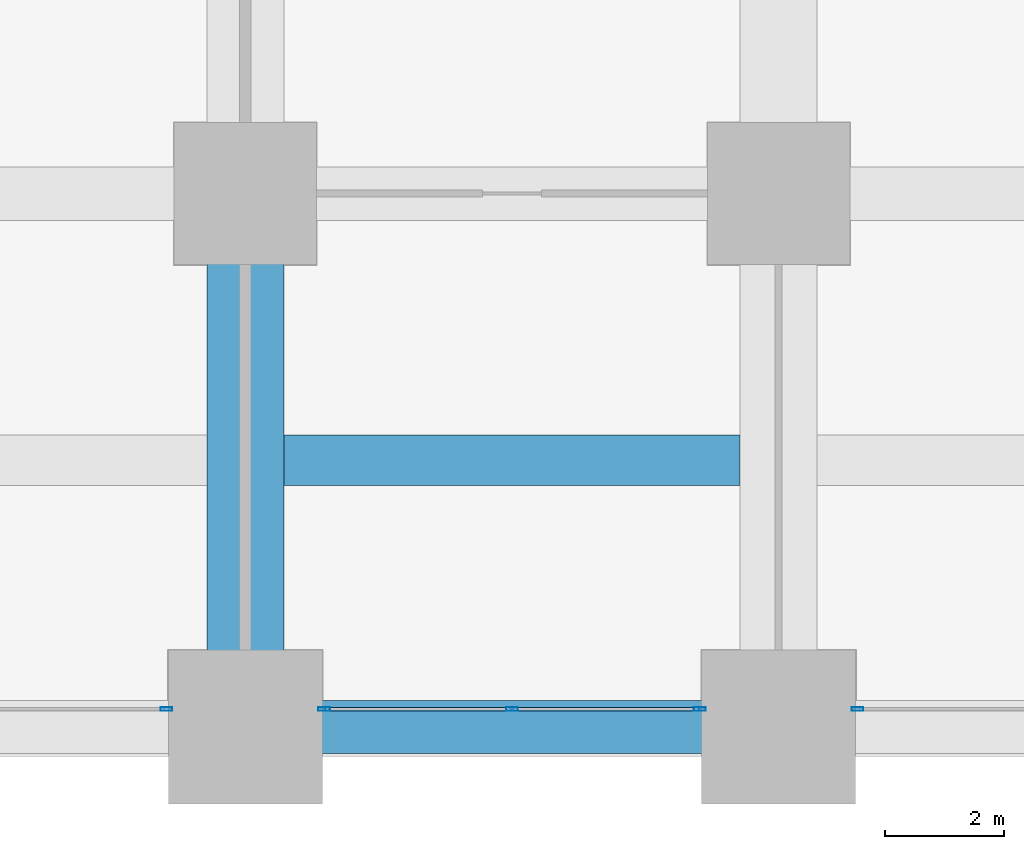
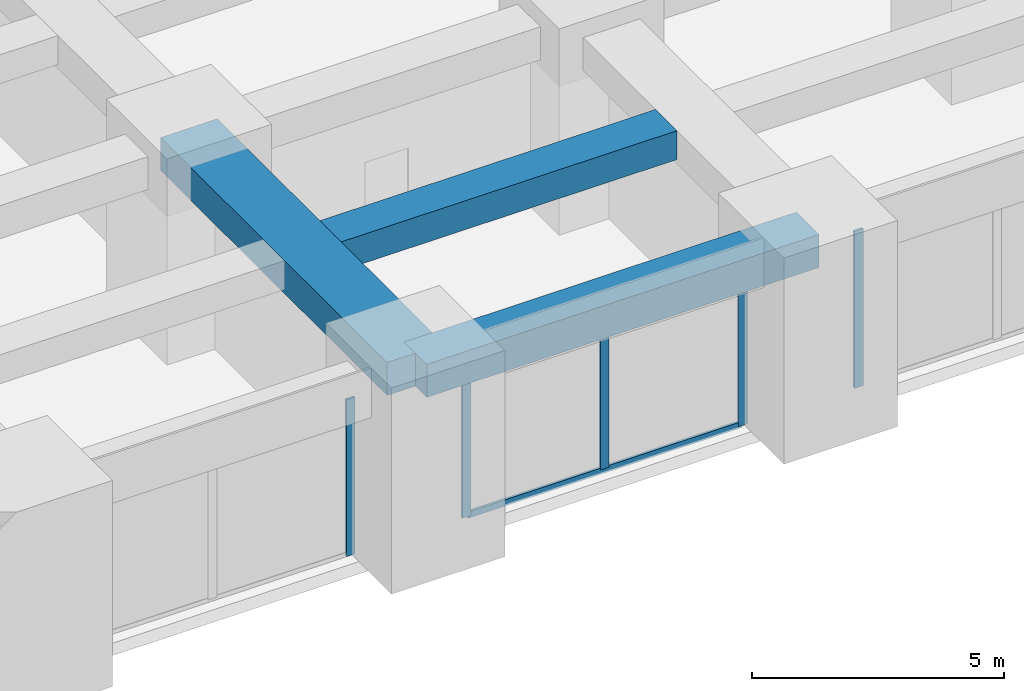
# One storey, part 6 of 46: 6 members, 3 beams, 3 elements without a shape of their own.
"""IFC4 building model written with IfcOpenShell, lengths in metres."""

from ifc_helpers import new_model, si_unit, direction, frame, origin, origin_2d, place, context, subcontext, project, spatial, rectangle, hollow_rectangle, extrude, material, material_profile, profile_set, type_object, element, aggregate, save


model = new_model("IFC4")

# Units and contexts
model_context = context("Model", 3, precision=1e-05, world=origin(), true_north=direction((0.0, 1.0)))
body_context = subcontext(model_context, "Body", "Model", "MODEL_VIEW")
ifc_project = project(units=[si_unit("LENGTHUNIT", "METRE"), si_unit("AREAUNIT", "SQUARE_METRE"), si_unit("VOLUMEUNIT", "CUBIC_METRE"), si_unit("PLANEANGLEUNIT", "RADIAN"), si_unit("MASSUNIT", "GRAM", prefix="KILO")], contexts=[model_context])

# Site, building, storey
site_placement = place(None, origin())
site = spatial("IfcSite", under=ifc_project, at=site_placement, CompositionType="ELEMENT")
building_placement = place(site_placement, origin())
building = spatial("IfcBuilding", under=site, at=building_placement, Name="Zorevar Civic Tower", CompositionType="ELEMENT")
storey_placement = place(building_placement, frame((0.0, 0.0, 10.800048828125)))
storey = spatial("IfcBuildingStorey", under=building, at=storey_placement, Name="L02", CompositionType="ELEMENT", Elevation=10.800048828125)

# Beams
ifc_material_1 = material(Name="Concrete C50/60", Category="concrete")
ifc_material_profile_1 = material_profile(ifc_material_1, rectangle(XDim=1.300048828125, YDim=0.800048828125, at=origin_2d()), Name="RC 1300x800")
ifc_profile_set_1 = profile_set([ifc_material_profile_1], Name="Concrete C50/60")
beam_type_1 = type_object("IfcBeamType", Name="Beam RC 1300x800", PredefinedType="BEAM", material=ifc_profile_set_1)
beam_1_placement = place(storey_placement, frame((9.0, 0.0, 4.199951171875), z_axis=(0.0, 1.0, 0.0), x_axis=(-1.0, 0.0, 0.0)))
element("IfcBeam", 1, at=beam_1_placement, inside=storey, type_object=beam_type_1, Name="Girder L03", PredefinedType="BEAM", context=body_context, shape_type="SweptSolid", body=[
    extrude(rectangle(XDim=1.300048828125, YDim=0.800048828125, at=origin_2d()), origin(), (0.0, 0.0, 1.0), 9.0),
])
ifc_material_2 = material(Name="Concrete C50/60", Category="concrete")
ifc_material_profile_2 = material_profile(ifc_material_2, rectangle(XDim=0.85009765625, YDim=0.699951171875, at=origin_2d()), Name="RC 850x700")
ifc_profile_set_2 = profile_set([ifc_material_profile_2], Name="Concrete C50/60")
beam_type_2 = type_object("IfcBeamType", Name="Beam RC 850x700", PredefinedType="BEAM", material=ifc_profile_set_2)
beam_2_placement = place(storey_placement, frame((9.64990234375, 4.5, 4.25), z_axis=(1.0, 0.0, 0.0), x_axis=(0.0, 1.0, 0.0)))
element("IfcBeam", 2, at=beam_2_placement, inside=storey, type_object=beam_type_2, Name="Secondary beam L03", PredefinedType="BEAM", context=body_context, shape_type="SweptSolid", body=[
    extrude(rectangle(XDim=0.85009765625, YDim=0.699951171875, at=origin_2d()), origin(), (0.0, 0.0, 1.0), 7.7001953125),
])

# Curtain wall, member
ifc_material_3 = material(Name="Dark grey solar-control glass in black aluminium frame", Category="aluminium")
curtain_wall_type = type_object("IfcCurtainWallType", Name="Curtain wall CW1 podium", PredefinedType="NOTDEFINED", material=ifc_material_3)
curtain_wall_1_placement = place(storey_placement, origin())
curtain_wall_1 = element("IfcCurtainWall", 3, at=curtain_wall_1_placement, inside=storey, type_object=curtain_wall_type, Name="CW1 L02", PredefinedType="NOTDEFINED")
ifc_material_4 = material(Name="Aluminium, black anodised", Category="aluminium")
ifc_material_profile_3 = material_profile(ifc_material_4, hollow_rectangle(XDim=0.06005859375, YDim=0.199951171875, WallThickness=0.00390625, at=origin_2d()), Name="AL 200x60x4")
ifc_profile_set_3 = profile_set([ifc_material_profile_3], Name="Aluminium, black anodised")
member_type_1 = type_object("IfcMemberType", Name="CW1 mullion AL 200x60x4", PredefinedType="MULLION", material=ifc_profile_set_3)
member_1_placement = place(storey_placement, frame((7.669921875, 0.300048828125, 0.0), z_axis=(0.0, 0.0, 1.0), x_axis=(0.0, 1.0, 0.0)))
member_1 = element("IfcMember", 4, at=member_1_placement, type_object=member_type_1, Name="CW1 mullion 3", PredefinedType="MULLION", context=body_context, shape_type="SweptSolid", body=[
    extrude(hollow_rectangle(XDim=0.06005859375, YDim=0.199951171875, WallThickness=0.00390625, at=origin_2d()), origin(), (0.0, 0.0, 1.0), 3.800048828125),
])
aggregate(curtain_wall_1, [member_1])

# Curtain wall, members
curtain_wall_2_placement = place(storey_placement, origin())
curtain_wall_2 = element("IfcCurtainWall", 5, at=curtain_wall_2_placement, inside=storey, type_object=curtain_wall_type, Name="CW1 L02", PredefinedType="NOTDEFINED")
member_2_placement = place(storey_placement, frame((10.330078125, 0.300048828125, 0.0), z_axis=(0.0, 0.0, 1.0), x_axis=(0.0, 1.0, 0.0)))
member_2 = element("IfcMember", 6, at=member_2_placement, type_object=member_type_1, Name="CW1 mullion 1", PredefinedType="MULLION", context=body_context, shape_type="SweptSolid", body=[
    extrude(hollow_rectangle(XDim=0.06005859375, YDim=0.199951171875, WallThickness=0.00390625, at=origin_2d()), origin(), (0.0, 0.0, 1.0), 3.800048828125),
])
member_3_placement = place(storey_placement, frame((13.5, 0.300048828125, 0.06005859375), z_axis=(0.0, 0.0, 1.0), x_axis=(0.0, 1.0, 0.0)))
member_3 = element("IfcMember", 7, at=member_3_placement, type_object=member_type_1, Name="CW1 mullion 2", PredefinedType="MULLION", context=body_context, shape_type="SweptSolid", body=[
    extrude(hollow_rectangle(XDim=0.06005859375, YDim=0.199951171875, WallThickness=0.00390625, at=origin_2d()), origin(), (0.0, 0.0, 1.0), 3.739990234375),
])
member_4_placement = place(storey_placement, frame((16.669921875, 0.300048828125, 0.0), z_axis=(0.0, 0.0, 1.0), x_axis=(0.0, 1.0, 0.0)))
member_4 = element("IfcMember", 8, at=member_4_placement, type_object=member_type_1, Name="CW1 mullion 3", PredefinedType="MULLION", context=body_context, shape_type="SweptSolid", body=[
    extrude(hollow_rectangle(XDim=0.06005859375, YDim=0.199951171875, WallThickness=0.00390625, at=origin_2d()), origin(), (0.0, 0.0, 1.0), 3.800048828125),
])

# Curtain wall, member
curtain_wall_3_placement = place(storey_placement, origin())
curtain_wall_3 = element("IfcCurtainWall", 9, at=curtain_wall_3_placement, inside=storey, type_object=curtain_wall_type, Name="CW1 L02", PredefinedType="NOTDEFINED")
member_5_placement = place(storey_placement, frame((19.330078125, 0.300048828125, 0.0), z_axis=(0.0, 0.0, 1.0), x_axis=(0.0, 1.0, 0.0)))
member_5 = element("IfcMember", 10, at=member_5_placement, type_object=member_type_1, Name="CW1 mullion 1", PredefinedType="MULLION", context=body_context, shape_type="SweptSolid", body=[
    extrude(hollow_rectangle(XDim=0.06005859375, YDim=0.199951171875, WallThickness=0.00390625, at=origin_2d()), origin(), (0.0, 0.0, 1.0), 3.800048828125),
])
aggregate(curtain_wall_3, [member_5])

# Member
ifc_material_5 = material(Name="Aluminium, black anodised", Category="aluminium")
ifc_material_profile_4 = material_profile(ifc_material_5, hollow_rectangle(XDim=0.06005859375, YDim=0.14990234375, WallThickness=0.00390625, at=origin_2d()), Name="AL 150x60x4")
ifc_profile_set_4 = profile_set([ifc_material_profile_4], Name="Aluminium, black anodised")
member_type_2 = type_object("IfcMemberType", Name="CW1 transom AL 150x60x4", PredefinedType="USERDEFINED", material=ifc_profile_set_4)
member_6_placement = place(storey_placement, frame((10.360107421875, 0.300048828125, 0.030029296875), z_axis=(1.0, 0.0, 0.0), x_axis=(0.0, 1.0, 0.0)))
member_6 = element("IfcMember", 11, at=member_6_placement, type_object=member_type_2, Name="CW1 sill transom", ObjectType="TRANSOM", PredefinedType="USERDEFINED", context=body_context, shape_type="SweptSolid", body=[
    extrude(hollow_rectangle(XDim=0.06005859375, YDim=0.14990234375, WallThickness=0.00390625, at=origin_2d()), origin(), (0.0, 0.0, 1.0), 6.27978515625),
])

aggregate(curtain_wall_2, [member_2, member_3, member_4, member_6])

# Beam
ifc_material_6 = material(Name="Concrete C50/60", Category="concrete")
ifc_material_profile_5 = material_profile(ifc_material_6, rectangle(XDim=0.89990234375, YDim=0.800048828125, at=origin_2d()), Name="RC 900x800")
ifc_profile_set_5 = profile_set([ifc_material_profile_5], Name="Concrete C50/60")
beam_type_3 = type_object("IfcBeamType", Name="Edge beam RC 900x800", PredefinedType="SPANDREL", material=ifc_profile_set_5)
beam_3_placement = place(storey_placement, frame((9.0, 0.0, 4.199951171875), z_axis=(1.0, 0.0, 0.0), x_axis=(0.0, 1.0, 0.0)))
element("IfcBeam", 12, at=beam_3_placement, inside=storey, type_object=beam_type_3, Name="Edge beam L03", PredefinedType="SPANDREL", context=body_context, shape_type="SweptSolid", body=[
    extrude(rectangle(XDim=0.89990234375, YDim=0.800048828125, at=origin_2d()), origin(), (0.0, 0.0, 1.0), 9.0),
])

save(model, "model.ifc")
